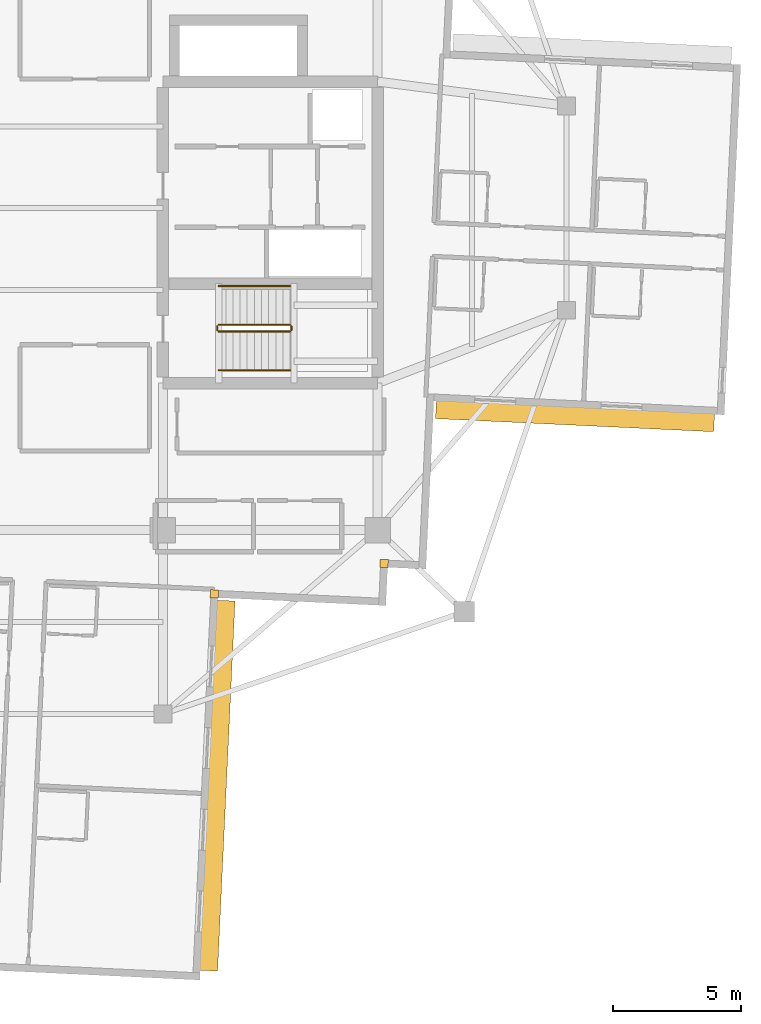
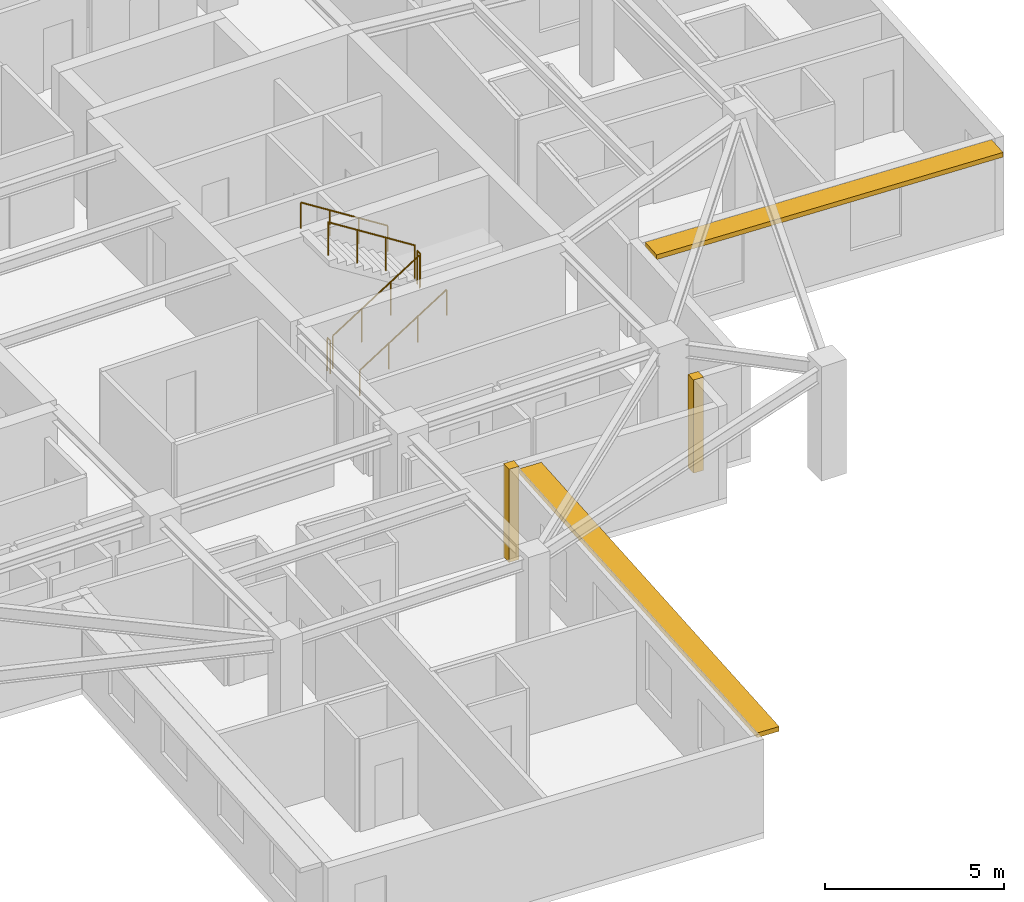
# One storey, part 10 of 12: 6 railings, 2 coverings, 2 shading devices.
"""IFC4 building model written with IfcOpenShell, lengths in metres."""

from ifc_helpers import new_model, si_unit, direction, frame, origin, origin_2d, place, context, subcontext, project, spatial, rectangle, circle, extrude, material, layer, layer_set, type_object, element, save


model = new_model("IFC4")

# Units and contexts
model_context = context("Model", 3, precision=1e-05, world=origin(), true_north=direction((0.0, 1.0)))
body_context = subcontext(model_context, "Body", "Model", "MODEL_VIEW")
ifc_project = project(units=[si_unit("LENGTHUNIT", "METRE"), si_unit("AREAUNIT", "SQUARE_METRE"), si_unit("VOLUMEUNIT", "CUBIC_METRE"), si_unit("PLANEANGLEUNIT", "RADIAN"), si_unit("MASSUNIT", "GRAM", prefix="KILO")], contexts=[model_context])

# Site, building, storey
site_placement = place(None, origin())
site = spatial("IfcSite", under=ifc_project, at=site_placement, CompositionType="ELEMENT")
building_placement = place(site_placement, origin())
building = spatial("IfcBuilding", under=site, at=building_placement, Name="Qingluan Cross Belvedere", CompositionType="ELEMENT")
storey_placement = place(building_placement, frame((0.0, 0.0, 253.800048828125)))
storey = spatial("IfcBuildingStorey", under=building, at=storey_placement, Name="L63", CompositionType="ELEMENT", Elevation=253.800048828125)

# Coverings
ifc_material_1 = material(Name="Precast concrete C45", Category="concrete")
ifc_layer_1 = layer(ifc_material_1, 0.1201171875, Name="ConcreteSpandrelCladding_120")
ifc_layer_set_1 = layer_set([ifc_layer_1], Name="Precast concrete C45")
covering_type = type_object("IfcCoveringType", Name="ConcreteSpandrelCladding_120", PredefinedType="CLADDING", material=ifc_layer_set_1)
for number, where, z_axis, x_axis, name in (
    (1, (12.65869140625, -13.911865234375, 0.0), (0.0, 0.0, 1.0), (0.998889874962, -0.04710645071, 0.0), "Corner closure L63-SE1"),
    (2, (6.015380859375, -15.10009765625, 0.0), (0.0, 0.0, 1.0), (0.998889874962, -0.04710645071, 0.0), "Corner closure L63-SE2"),
):
    element("IfcCovering", number, at=place(storey_placement, frame(where, z_axis=z_axis, x_axis=x_axis)), inside=storey, type_object=covering_type, Name=name, PredefinedType="CLADDING", context=body_context, shape_type="SweptSolid", body=[
        extrude(rectangle(XDim=0.320068359375, YDim=0.320068359375, at=origin_2d()), origin(), (0.0, 0.0, 1.0), 3.179931640625),
    ])

# Shading devices
ifc_material_2 = material(Name="Precast concrete C45", Category="concrete")
ifc_layer_2 = layer(ifc_material_2, 0.139892578125, Name="ConcreteSunshadeBand_700")
ifc_layer_set_2 = layer_set([ifc_layer_2], Name="Precast concrete C45")
shading_device_type = type_object("IfcShadingDeviceType", Name="ConcreteSunshadeBand_700", PredefinedType="USERDEFINED", material=ifc_layer_set_2)
shading_device_1_placement = place(storey_placement, frame((20.128662109375, -8.147216796875, 3.0), z_axis=(0.0, 0.0, 1.0), x_axis=(0.998889781456, -0.047108433452, 0.0)))
element("IfcShadingDevice", 3, at=shading_device_1_placement, inside=storey, type_object=shading_device_type, Name="Concrete SUNSHADE L63-EA", ObjectType="SUNSHADE", PredefinedType="USERDEFINED", context=body_context, shape_type="SweptSolid", body=[
    extrude(rectangle(XDim=10.89990234375, YDim=0.699951171875, at=origin_2d()), origin(), (0.0, 0.0, 1.0), 0.159912109375),
])
shading_device_2_placement = place(storey_placement, frame((6.132080078125, -22.60400390625, 3.0), z_axis=(0.0, 0.0, 1.0), x_axis=(0.047108777928, 0.99888976521, 0.0)))
element("IfcShadingDevice", 4, at=shading_device_2_placement, inside=storey, type_object=shading_device_type, Name="Concrete SUNSHADE L63-SB", ObjectType="SUNSHADE", PredefinedType="USERDEFINED", context=body_context, shape_type="SweptSolid", body=[
    extrude(rectangle(XDim=14.5, YDim=0.699951171875, at=origin_2d()), origin(), (0.0, 0.0, 1.0), 0.159912109375),
])

# Railings
ifc_material_3 = material(Name="Brushed stainless steel tubular handrail", Category="steel")
railing_type_1 = type_object("IfcRailingType", Name="StairPitchHandrail_900", PredefinedType="HANDRAIL", material=ifc_material_3)
railing_1_placement = place(storey_placement, frame((6.179931640625, -6.35009765625, 0.17724609375)))
element("IfcRailing", 5, at=railing_1_placement, inside=storey, type_object=railing_type_1, Name="L63 ST2 stair handrail 1", PredefinedType="HANDRAIL", context=body_context, shape_type="SweptSolid", body=[
    extrude(circle(Radius=0.02392578125, at=origin_2d()), frame((0.0, 0.0, 0.8759765625), z_axis=(0.844908973607, 0.0, 0.534910110503), x_axis=(0.0, 1.0, 0.0)), (0.0, 0.0, 1.0), 3.31396484375),
    extrude(circle(Radius=0.02099609375, at=origin_2d()), origin(), (0.0, 0.0, 1.0), 0.851806640625),
    extrude(circle(Radius=0.02099609375, at=origin_2d()), frame((0.933349609375, 0.0, 0.5908203125)), (0.0, 0.0, 1.0), 0.851806640625),
    extrude(circle(Radius=0.02099609375, at=origin_2d()), frame((1.86669921875, 0.0, 1.181884765625)), (0.0, 0.0, 1.0), 0.851806640625),
    extrude(circle(Radius=0.02099609375, at=origin_2d()), frame((2.800048828125, 0.0, 1.772705078125)), (0.0, 0.0, 1.0), 0.851806640625),
])
railing_2_placement = place(storey_placement, frame((8.97998046875, -3.050048828125, 2.127197265625)))
element("IfcRailing", 6, at=railing_2_placement, inside=storey, type_object=railing_type_1, Name="L63 ST2 stair handrail 2", PredefinedType="HANDRAIL", context=body_context, shape_type="SweptSolid", body=[
    extrude(circle(Radius=0.02392578125, at=origin_2d()), frame((0.0, 0.0, 0.8759765625), z_axis=(-0.844908973607, 0.0, 0.534910110503), x_axis=(0.0, -1.0, 0.0)), (0.0, 0.0, 1.0), 3.31396484375),
    extrude(circle(Radius=0.02099609375, at=origin_2d()), origin(), (0.0, 0.0, 1.0), 0.851806640625),
    extrude(circle(Radius=0.02099609375, at=origin_2d()), frame((-0.933349609375, 0.0, 0.5908203125)), (0.0, 0.0, 1.0), 0.851806640625),
    extrude(circle(Radius=0.02099609375, at=origin_2d()), frame((-1.86669921875, 0.0, 1.181884765625)), (0.0, 0.0, 1.0), 0.851806640625),
    extrude(circle(Radius=0.02099609375, at=origin_2d()), frame((-2.800048828125, 0.0, 1.772705078125)), (0.0, 0.0, 1.0), 0.851806640625),
])
ifc_material_4 = material(Name="Painted steel stair well guard", Category="steel")
railing_type_2 = type_object("IfcRailingType", Name="StairWellGuard_1150", PredefinedType="BALUSTRADE", material=ifc_material_4)
railing_3_placement = place(storey_placement, frame((6.179931640625, -4.830078125, 0.17724609375)))
element("IfcRailing", 7, at=railing_3_placement, inside=storey, type_object=railing_type_2, Name="L63 ST2 stair guard 1", PredefinedType="BALUSTRADE", context=body_context, shape_type="SweptSolid", body=[
    extrude(circle(Radius=0.02392578125, at=origin_2d()), frame((0.0, 0.0, 1.1259765625), z_axis=(0.844908973607, 0.0, 0.534910110503), x_axis=(0.0, 1.0, 0.0)), (0.0, 0.0, 1.0), 3.31396484375),
    extrude(circle(Radius=0.02099609375, at=origin_2d()), origin(), (0.0, 0.0, 1.0), 1.101806640625),
    extrude(circle(Radius=0.02099609375, at=origin_2d()), frame((0.933349609375, 0.0, 0.5908203125)), (0.0, 0.0, 1.0), 1.101806640625),
    extrude(circle(Radius=0.02099609375, at=origin_2d()), frame((1.86669921875, 0.0, 1.181884765625)), (0.0, 0.0, 1.0), 1.101806640625),
    extrude(circle(Radius=0.02099609375, at=origin_2d()), frame((2.800048828125, 0.0, 1.772705078125)), (0.0, 0.0, 1.0), 1.101806640625),
])
railing_4_placement = place(storey_placement, frame((9.030029296875, -4.780029296875, 1.949951171875)))
element("IfcRailing", 8, at=railing_4_placement, inside=storey, type_object=railing_type_2, Name="L63 ST2 stair guard 2", PredefinedType="BALUSTRADE", context=body_context, shape_type="SweptSolid", body=[
    extrude(circle(Radius=0.02392578125, at=origin_2d()), frame((0.0, 0.0, 1.1259765625), z_axis=(0.0, 1.0, 0.0), x_axis=(-1.0, 0.0, 0.0)), (0.0, 0.0, 1.0), 0.159912109375),
    extrude(circle(Radius=0.02099609375, at=origin_2d()), origin(), (0.0, 0.0, 1.0), 1.101806640625),
    extrude(circle(Radius=0.02099609375, at=origin_2d()), frame((0.0, 0.159912109375, 0.0)), (0.0, 0.0, 1.0), 1.101806640625),
])
railing_5_placement = place(storey_placement, frame((8.97998046875, -4.570068359375, 2.127197265625)))
element("IfcRailing", 9, at=railing_5_placement, inside=storey, type_object=railing_type_2, Name="L63 ST2 stair guard 3", PredefinedType="BALUSTRADE", context=body_context, shape_type="SweptSolid", body=[
    extrude(circle(Radius=0.02392578125, at=origin_2d()), frame((0.0, 0.0, 1.1259765625), z_axis=(-0.844908973607, 0.0, 0.534910110503), x_axis=(0.0, -1.0, 0.0)), (0.0, 0.0, 1.0), 3.31396484375),
    extrude(circle(Radius=0.02099609375, at=origin_2d()), origin(), (0.0, 0.0, 1.0), 1.101806640625),
    extrude(circle(Radius=0.02099609375, at=origin_2d()), frame((-0.933349609375, 0.0, 0.5908203125)), (0.0, 0.0, 1.0), 1.101806640625),
    extrude(circle(Radius=0.02099609375, at=origin_2d()), frame((-1.86669921875, 0.0, 1.181884765625)), (0.0, 0.0, 1.0), 1.101806640625),
    extrude(circle(Radius=0.02099609375, at=origin_2d()), frame((-2.800048828125, 0.0, 1.772705078125)), (0.0, 0.0, 1.0), 1.101806640625),
])
railing_6_placement = place(storey_placement, frame((6.1298828125, -4.780029296875, 0.0)))
element("IfcRailing", 10, at=railing_6_placement, inside=storey, type_object=railing_type_2, Name="L63 ST2 stair guard 4", PredefinedType="BALUSTRADE", context=body_context, shape_type="SweptSolid", body=[
    extrude(circle(Radius=0.02392578125, at=origin_2d()), frame((0.0, 0.0, 1.1259765625), z_axis=(0.0, 1.0, 0.0), x_axis=(-1.0, 0.0, 0.0)), (0.0, 0.0, 1.0), 0.159912109375),
    extrude(circle(Radius=0.02099609375, at=origin_2d()), origin(), (0.0, 0.0, 1.0), 1.101806640625),
    extrude(circle(Radius=0.02099609375, at=origin_2d()), frame((0.0, 0.159912109375, 0.0)), (0.0, 0.0, 1.0), 1.101806640625),
])

save(model, "model.ifc")
